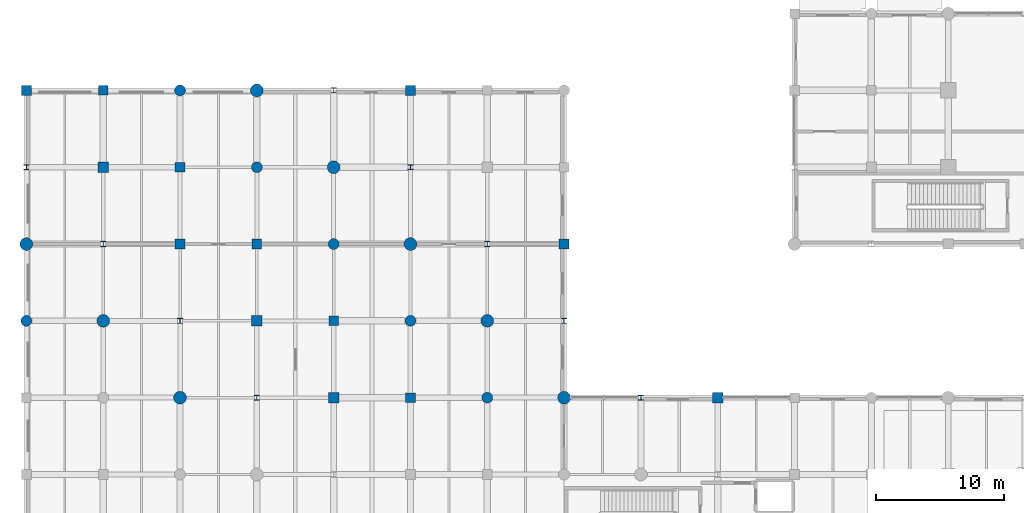
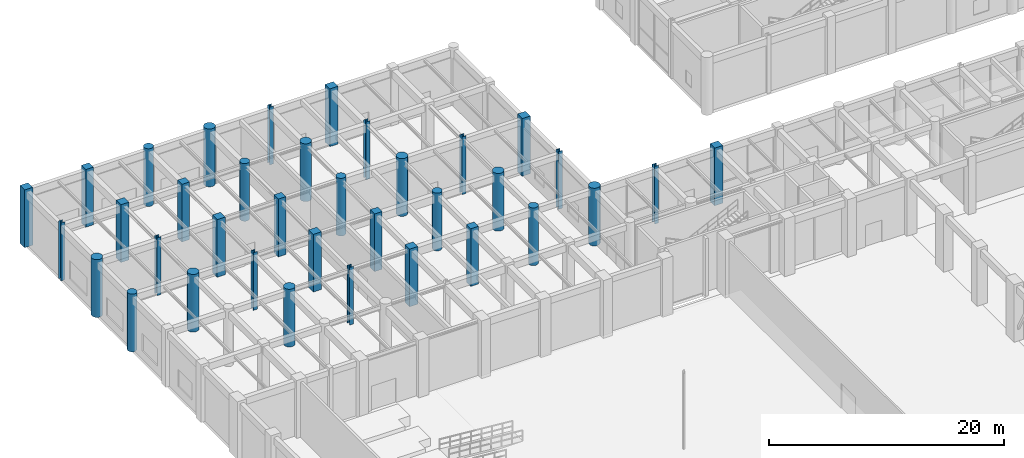
# One storey, part 10 of 106: 36 columns.
"""IFC4 building model written with IfcOpenShell, lengths in metres."""

from ifc_helpers import new_model, si_unit, direction, frame, origin, origin_2d, place, context, subcontext, project, spatial, rectangle, circle, i_section, extrude, material, material_profile, profile_set, type_object, element, save


model = new_model("IFC4")

# Units and contexts
model_context = context("Model", 3, precision=1e-05, world=origin(), true_north=direction((0.0, 1.0)))
body_context = subcontext(model_context, "Body", "Model", "MODEL_VIEW")
ifc_project = project(units=[si_unit("LENGTHUNIT", "METRE"), si_unit("AREAUNIT", "SQUARE_METRE"), si_unit("VOLUMEUNIT", "CUBIC_METRE"), si_unit("PLANEANGLEUNIT", "RADIAN"), si_unit("MASSUNIT", "GRAM", prefix="KILO"), si_unit("THERMODYNAMICTEMPERATUREUNIT", "KELVIN"), si_unit("POWERUNIT", "WATT")], contexts=[model_context])

# Site, building, storey
site_placement = place(None, origin())
site = spatial("IfcSite", under=ifc_project, at=site_placement, CompositionType="ELEMENT")
building_placement = place(site_placement, origin())
building = spatial("IfcBuilding", under=site, at=building_placement, Name="Phaisarnlok Congress Hotel", CompositionType="ELEMENT")
storey_placement = place(building_placement, origin())
storey = spatial("IfcBuildingStorey", under=building, at=storey_placement, Name="L00", CompositionType="ELEMENT", Elevation=0.0)

# Columns
ifc_material_1 = material(Name="Concrete C50/60", Category="concrete")
ifc_material_profile_1 = material_profile(ifc_material_1, rectangle(XDim=0.75, YDim=0.75, at=origin_2d()), Name="RC 750x750")
ifc_profile_set_1 = profile_set([ifc_material_profile_1], Name="Concrete C50/60")
column_type_1 = type_object("IfcColumnType", Name="COL-RC-750", PredefinedType="COLUMN", material=ifc_profile_set_1)
for number, where, z_axis, x_axis, name in (
    (1, (6.0, 120.0, 0.0), (0.0, 0.0, 1.0), (1.0, 0.0, 0.0), "Column C-06 (L00)"),
    (2, (12.0, 114.0, 0.0), (0.0, 0.0, 1.0), (1.0, 0.0, 0.0), "Column C-06 (L00)"),
    (3, (18.0, 108.0, 0.0), (0.0, 0.0, 1.0), (1.0, 0.0, 0.0), "Column C-06 (L00)"),
    (4, (24.0, 102.0, 0.0), (0.0, 0.0, 1.0), (1.0, 0.0, 0.0), "Column C-06 (L00)"),
    (5, (30.0, 96.0, 0.0), (0.0, 0.0, 1.0), (1.0, 0.0, 0.0), "Column C-06 (L00)"),
):
    element("IfcColumn", number, at=place(storey_placement, frame(where, z_axis=z_axis, x_axis=x_axis)), inside=storey, type_object=column_type_1, Name=name, PredefinedType="COLUMN", context=body_context, shape_type="SweptSolid", body=[
        extrude(rectangle(XDim=0.75, YDim=0.75, at=origin_2d()), origin(), (0.0, 0.0, 1.0), 6.0),
    ])
ifc_material_profile_2 = material_profile(ifc_material_1, rectangle(XDim=0.800048828125, YDim=0.800048828125, at=origin_2d()), Name="RC 800x800")
ifc_profile_set_2 = profile_set([ifc_material_profile_2], Name="Concrete C50/60")
column_type_2 = type_object("IfcColumnType", Name="COL-RC-800", PredefinedType="COLUMN", material=ifc_profile_set_2)
for number, where, z_axis, x_axis, name in (
    (6, (6.0, 114.0, 0.0), (0.0, 0.0, 1.0), (1.0, 0.0, 0.0), "Column C-07 (L00)"),
    (7, (12.0, 108.0, 0.0), (0.0, 0.0, 1.0), (1.0, 0.0, 0.0), "Column C-07 (L00)"),
    (8, (18.0, 102.0, 0.0), (0.0, 0.0, 1.0), (1.0, 0.0, 0.0), "Column C-07 (L00)"),
    (9, (24.0, 96.0, 0.0), (0.0, 0.0, 1.0), (1.0, 0.0, 0.0), "Column C-07 (L00)"),
    (10, (30.0, 120.0, 0.0), (0.0, 0.0, 1.0), (1.0, 0.0, 0.0), "Column C-07 (L00)"),
    (11, (42.0, 108.0, 0.0), (0.0, 0.0, 1.0), (1.0, 0.0, 0.0), "Column C-07 (L00)"),
    (12, (54.0, 96.0, 0.0), (0.0, 0.0, 1.0), (1.0, 0.0, 0.0), "Column C-07 (L00)"),
):
    element("IfcColumn", number, at=place(storey_placement, frame(where, z_axis=z_axis, x_axis=x_axis)), inside=storey, type_object=column_type_2, Name=name, PredefinedType="COLUMN", context=body_context, shape_type="SweptSolid", body=[
        extrude(rectangle(XDim=0.800048828125, YDim=0.800048828125, at=origin_2d()), origin(), (0.0, 0.0, 1.0), 6.0),
    ])
ifc_material_profile_3 = material_profile(ifc_material_1, rectangle(XDim=0.800048828125, YDim=0.800048828125, at=origin_2d()), Name="RC 800x800")
ifc_profile_set_3 = profile_set([ifc_material_profile_3], Name="Concrete C50/60")
column_type_3 = type_object("IfcColumnType", Name="COL-RC-800-EXT", PredefinedType="COLUMN", material=ifc_profile_set_3)
column_1_placement = place(storey_placement, frame((0.0, 120.0, 0.0), z_axis=(0.0, 0.0, 1.0), x_axis=(1.0, 0.0, 0.0)))
element("IfcColumn", 13, at=column_1_placement, inside=storey, type_object=column_type_3, Name="Column C-07E (L00)", PredefinedType="COLUMN", context=body_context, shape_type="SweptSolid", body=[
    extrude(rectangle(XDim=0.800048828125, YDim=0.800048828125, at=origin_2d()), origin(), (0.0, 0.0, 1.0), 6.0),
])
ifc_material_profile_4 = material_profile(ifc_material_1, circle(Radius=0.5, at=origin_2d()), Name="RCC D1000")
ifc_profile_set_4 = profile_set([ifc_material_profile_4], Name="Concrete C50/60")
column_type_4 = type_object("IfcColumnType", Name="COL-RCC-1000", PredefinedType="COLUMN", material=ifc_profile_set_4)
for number, where, z_axis, x_axis, name in (
    (14, (6.0, 102.0, 0.0), (0.0, 0.0, 1.0), (1.0, 0.0, 0.0), "Column C-15 (L00)"),
    (15, (12.0, 96.0, 0.0), (0.0, 0.0, 1.0), (1.0, 0.0, 0.0), "Column C-15 (L00)"),
    (16, (18.0, 120.0, 0.0), (0.0, 0.0, 1.0), (1.0, 0.0, 0.0), "Column C-15 (L00)"),
    (17, (24.0, 114.0, 0.0), (0.0, 0.0, 1.0), (1.0, 0.0, 0.0), "Column C-15 (L00)"),
    (18, (30.0, 108.0, 0.0), (0.0, 0.0, 1.0), (1.0, 0.0, 0.0), "Column C-15 (L00)"),
    (19, (36.0, 102.0, 0.0), (0.0, 0.0, 1.0), (1.0, 0.0, 0.0), "Column C-15 (L00)"),
    (20, (42.0, 96.0, 0.0), (0.0, 0.0, 1.0), (1.0, 0.0, 0.0), "Column C-15 (L00)"),
):
    element("IfcColumn", number, at=place(storey_placement, frame(where, z_axis=z_axis, x_axis=x_axis)), inside=storey, type_object=column_type_4, Name=name, PredefinedType="COLUMN", context=body_context, shape_type="SweptSolid", body=[
        extrude(circle(Radius=0.5, at=origin_2d()), origin(), (0.0, 0.0, 1.0), 6.0),
    ])
ifc_material_profile_5 = material_profile(ifc_material_1, circle(Radius=0.5, at=origin_2d()), Name="RCC D1000")
ifc_profile_set_5 = profile_set([ifc_material_profile_5], Name="Concrete C50/60")
column_type_5 = type_object("IfcColumnType", Name="COL-RCC-1000-EXT", PredefinedType="COLUMN", material=ifc_profile_set_5)
column_2_placement = place(storey_placement, frame((0.0, 108.0, 0.0), z_axis=(0.0, 0.0, 1.0), x_axis=(1.0, 0.0, 0.0)))
element("IfcColumn", 21, at=column_2_placement, inside=storey, type_object=column_type_5, Name="Column C-15E (L00)", PredefinedType="COLUMN", context=body_context, shape_type="SweptSolid", body=[
    extrude(circle(Radius=0.5, at=origin_2d()), origin(), (0.0, 0.0, 1.0), 6.0),
])
ifc_material_profile_6 = material_profile(ifc_material_1, circle(Radius=0.425048828125, at=origin_2d()), Name="RCC D850")
ifc_profile_set_6 = profile_set([ifc_material_profile_6], Name="Concrete C50/60")
column_type_6 = type_object("IfcColumnType", Name="COL-RCC-850", PredefinedType="COLUMN", material=ifc_profile_set_6)
for number, where, z_axis, x_axis, name in (
    (22, (12.0, 120.0, 0.0), (0.0, 0.0, 1.0), (1.0, 0.0, 0.0), "Column C-14 (L00)"),
    (23, (18.0, 114.0, 0.0), (0.0, 0.0, 1.0), (1.0, 0.0, 0.0), "Column C-14 (L00)"),
    (24, (24.0, 108.0, 0.0), (0.0, 0.0, 1.0), (1.0, 0.0, 0.0), "Column C-14 (L00)"),
    (25, (30.0, 102.0, 0.0), (0.0, 0.0, 1.0), (1.0, 0.0, 0.0), "Column C-14 (L00)"),
    (26, (36.0, 96.0, 0.0), (0.0, 0.0, 1.0), (1.0, 0.0, 0.0), "Column C-14 (L00)"),
):
    element("IfcColumn", number, at=place(storey_placement, frame(where, z_axis=z_axis, x_axis=x_axis)), inside=storey, type_object=column_type_6, Name=name, PredefinedType="COLUMN", context=body_context, shape_type="SweptSolid", body=[
        extrude(circle(Radius=0.425048828125, at=origin_2d()), origin(), (0.0, 0.0, 1.0), 6.0),
    ])
ifc_material_profile_7 = material_profile(ifc_material_1, circle(Radius=0.425048828125, at=origin_2d()), Name="RCC D850")
ifc_profile_set_7 = profile_set([ifc_material_profile_7], Name="Concrete C50/60")
column_type_7 = type_object("IfcColumnType", Name="COL-RCC-850-EXT", PredefinedType="COLUMN", material=ifc_profile_set_7)
column_3_placement = place(storey_placement, frame((0.0, 102.0, 0.0), z_axis=(0.0, 0.0, 1.0), x_axis=(1.0, 0.0, 0.0)))
element("IfcColumn", 27, at=column_3_placement, inside=storey, type_object=column_type_7, Name="Column C-14E (L00)", PredefinedType="COLUMN", context=body_context, shape_type="SweptSolid", body=[
    extrude(circle(Radius=0.425048828125, at=origin_2d()), origin(), (0.0, 0.0, 1.0), 6.0),
])
ifc_material_2 = material(Name="Steel S355", Category="steel")
ifc_material_profile_8 = material_profile(ifc_material_2, i_section(OverallWidth=0.40087890625, OverallDepth=0.39892578125, WebThickness=0.0185546875, FlangeThickness=0.030029296875, FilletRadius=0.014892578125, at=origin_2d()), Name="HD 400x314")
ifc_profile_set_8 = profile_set([ifc_material_profile_8], Name="Steel S355")
column_type_8 = type_object("IfcColumnType", Name="COL-STL-HD314", PredefinedType="COLUMN", material=ifc_profile_set_8)
for number, where, z_axis, x_axis, name in (
    (28, (6.0, 108.0, 0.0), (0.0, 0.0, 1.0), (1.0, 0.0, 0.0), "Column SC-04 (L00)"),
    (29, (12.0, 102.0, 0.0), (0.0, 0.0, 1.0), (1.0, 0.0, 0.0), "Column SC-04 (L00)"),
    (30, (18.0, 96.0, 0.0), (0.0, 0.0, 1.0), (1.0, 0.0, 0.0), "Column SC-04 (L00)"),
    (31, (24.0, 120.0, 0.0), (0.0, 0.0, 1.0), (1.0, 0.0, 0.0), "Column SC-04 (L00)"),
    (32, (30.0, 114.0, 0.0), (0.0, 0.0, 1.0), (1.0, 0.0, 0.0), "Column SC-04 (L00)"),
    (33, (36.0, 108.0, 0.0), (0.0, 0.0, 1.0), (1.0, 0.0, 0.0), "Column SC-04 (L00)"),
    (34, (42.0, 102.0, 0.0), (0.0, 0.0, 1.0), (1.0, 0.0, 0.0), "Column SC-04 (L00)"),
    (35, (48.0, 96.0, 0.0), (0.0, 0.0, 1.0), (1.0, 0.0, 0.0), "Column SC-04 (L00)"),
):
    element("IfcColumn", number, at=place(storey_placement, frame(where, z_axis=z_axis, x_axis=x_axis)), inside=storey, type_object=column_type_8, Name=name, PredefinedType="COLUMN", context=body_context, shape_type="SweptSolid", body=[
        extrude(i_section(OverallWidth=0.40087890625, OverallDepth=0.39892578125, WebThickness=0.0185546875, FlangeThickness=0.030029296875, FilletRadius=0.014892578125, at=origin_2d()), origin(), (0.0, 0.0, 1.0), 6.0),
    ])
ifc_material_profile_9 = material_profile(ifc_material_2, i_section(OverallWidth=0.40087890625, OverallDepth=0.39892578125, WebThickness=0.0185546875, FlangeThickness=0.030029296875, FilletRadius=0.014892578125, at=origin_2d()), Name="HD 400x314")
ifc_profile_set_9 = profile_set([ifc_material_profile_9], Name="Steel S355")
column_type_9 = type_object("IfcColumnType", Name="COL-STL-HD314-EXT", PredefinedType="COLUMN", material=ifc_profile_set_9)
column_4_placement = place(storey_placement, frame((0.0, 114.0, 0.0), z_axis=(0.0, 0.0, 1.0), x_axis=(1.0, 0.0, 0.0)))
element("IfcColumn", 36, at=column_4_placement, inside=storey, type_object=column_type_9, Name="Column SC-04E (L00)", PredefinedType="COLUMN", context=body_context, shape_type="SweptSolid", body=[
    extrude(i_section(OverallWidth=0.40087890625, OverallDepth=0.39892578125, WebThickness=0.0185546875, FlangeThickness=0.030029296875, FilletRadius=0.014892578125, at=origin_2d()), origin(), (0.0, 0.0, 1.0), 6.0),
])

save(model, "model.ifc")
